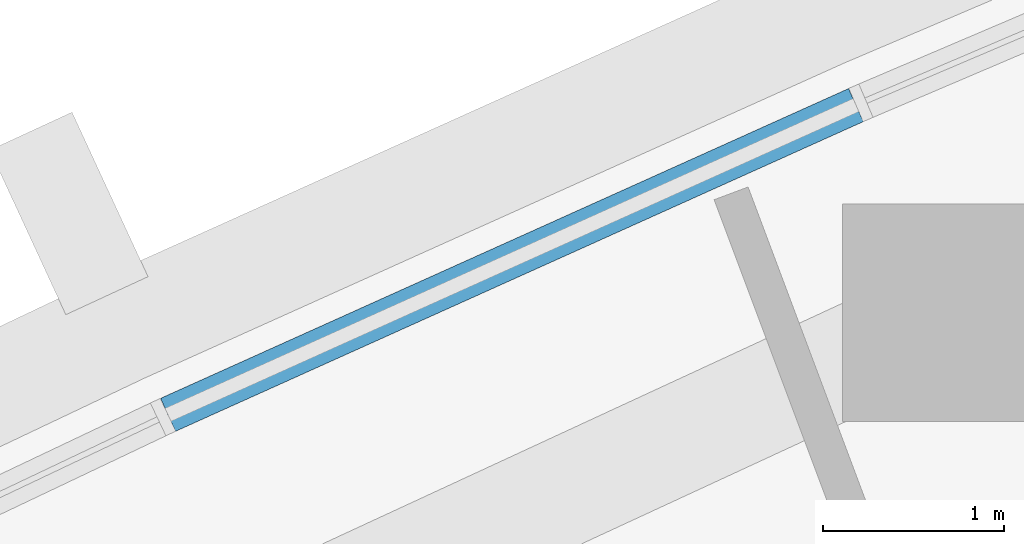
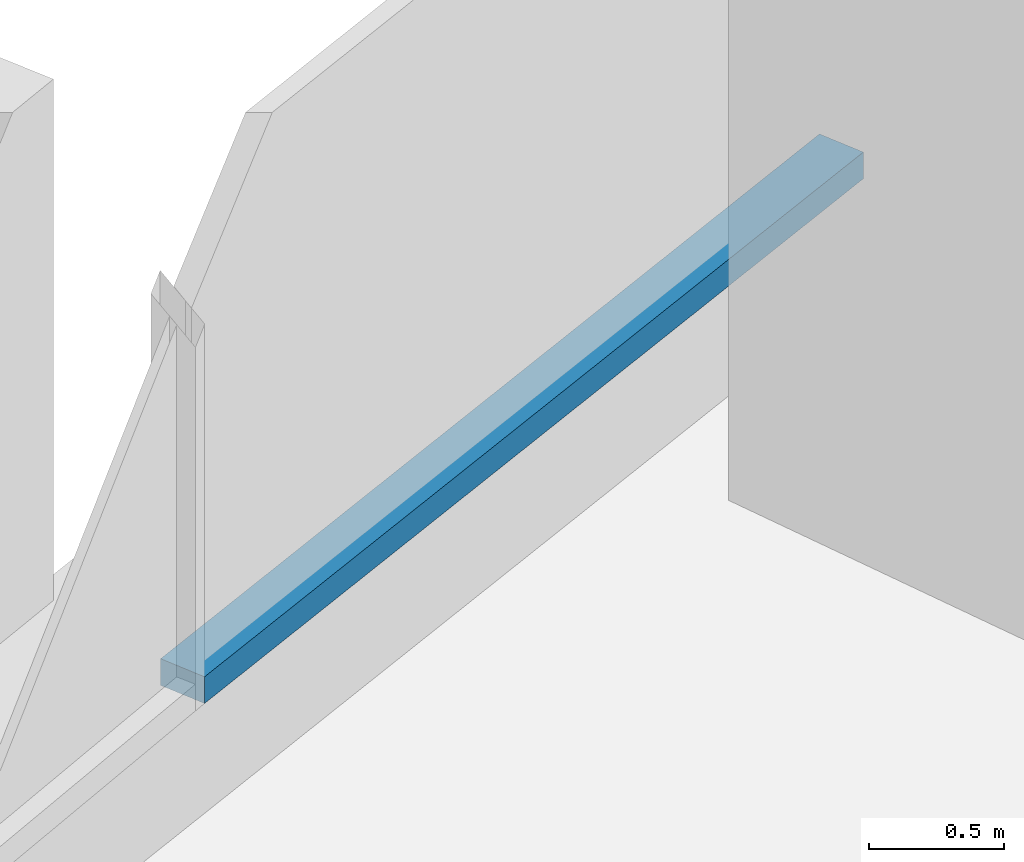
# One storey, part 3 of 16: 1 member, 1 element without a shape of its own.
"""IFC4 building model written with IfcOpenShell, lengths in metres."""

from ifc_helpers import new_model, si_unit, direction, frame, origin, origin_2d, place, context, subcontext, project, spatial, rectangle, extrude, material, layer, layer_set, material_profile, profile_set, type_object, element, aggregate, save


model = new_model("IFC4")

# Units and contexts
model_context = context("Model", 3, precision=1e-05, world=origin(), true_north=direction((0.0, 1.0)))
body_context = subcontext(model_context, "Body", "Model", "MODEL_VIEW")
ifc_project = project(units=[si_unit("LENGTHUNIT", "METRE"), si_unit("AREAUNIT", "SQUARE_METRE"), si_unit("VOLUMEUNIT", "CUBIC_METRE"), si_unit("PLANEANGLEUNIT", "RADIAN"), si_unit("MASSUNIT", "GRAM", prefix="KILO")], contexts=[model_context])

# Site, building, storey
site_placement = place(None, origin())
site = spatial("IfcSite", under=ifc_project, at=site_placement, CompositionType="ELEMENT")
building_placement = place(site_placement, origin())
building = spatial("IfcBuilding", under=site, at=building_placement, Name="Ostrand Prow Hotel Tower", CompositionType="ELEMENT")
storey_placement = place(building_placement, frame((0.0, 0.0, 245.64990234375)))
storey = spatial("IfcBuildingStorey", under=building, at=storey_placement, Name="L62", CompositionType="ELEMENT", Elevation=245.64990234375)

# Curtain wall, member
ifc_material_1 = material(Name="Insulated glass in bronze anodised frame", Category="glass")
ifc_layer = layer(ifc_material_1, 0.199951171875)
ifc_layer_set = layer_set([ifc_layer], Name="Insulated glass in bronze anodised frame")
curtain_wall_type = type_object("IfcCurtainWallType", Name="Strip curtain wall, fritted glass over bronze spandrel", PredefinedType="NOTDEFINED", material=ifc_layer_set)
curtain_wall_placement = place(storey_placement, origin())
curtain_wall = element("IfcCurtainWall", 1, at=curtain_wall_placement, inside=storey, type_object=curtain_wall_type, Name="CW1 run CWN5", PredefinedType="NOTDEFINED")
ifc_material_2 = material(Name="Bronze anodised aluminium", Category="aluminium")
ifc_material_profile = material_profile(ifc_material_2, rectangle(XDim=0.199951171875, YDim=0.1201171875, at=origin_2d()), Name="Transom 120x200 bronze anodised aluminium")
ifc_profile_set = profile_set([ifc_material_profile], Name="Bronze anodised aluminium")
member_type = type_object("IfcMemberType", Name="Transom 120x200 bronze anodised aluminium", PredefinedType="USERDEFINED", material=ifc_profile_set)
member_placement = place(storey_placement, frame((20.53271484375, 10.10400390625, 0.960205078125), z_axis=(-0.911832617051, -0.410562149353, 0.0), x_axis=(0.410562149353, -0.911832617051, 0.0)))
member = element("IfcMember", 2, at=member_placement, type_object=member_type, Name="CW1 transom 1.1", ObjectType="TRANSOM", PredefinedType="USERDEFINED", context=body_context, shape_type="SweptSolid", body=[
    extrude(rectangle(XDim=0.199951171875, YDim=0.1201171875, at=origin_2d()), origin(), (0.0, 0.0, 1.0), 4.163818359375),
])
aggregate(curtain_wall, [member])

save(model, "model.ifc")
